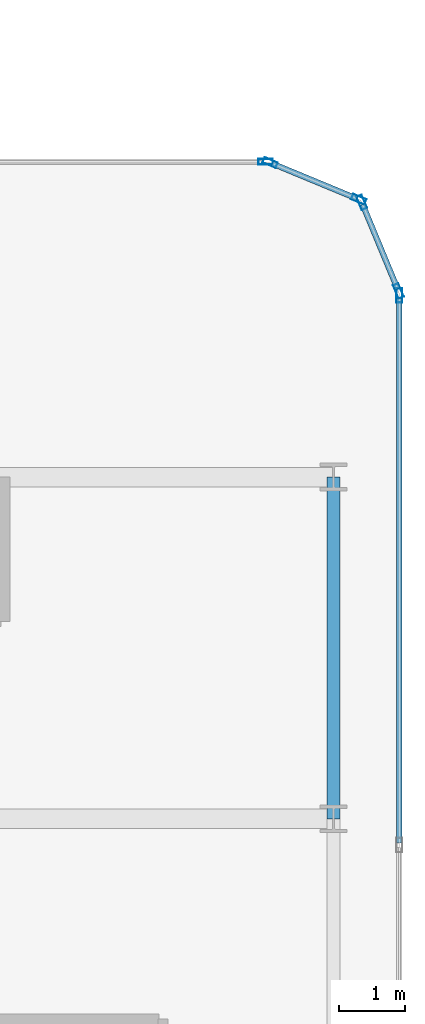
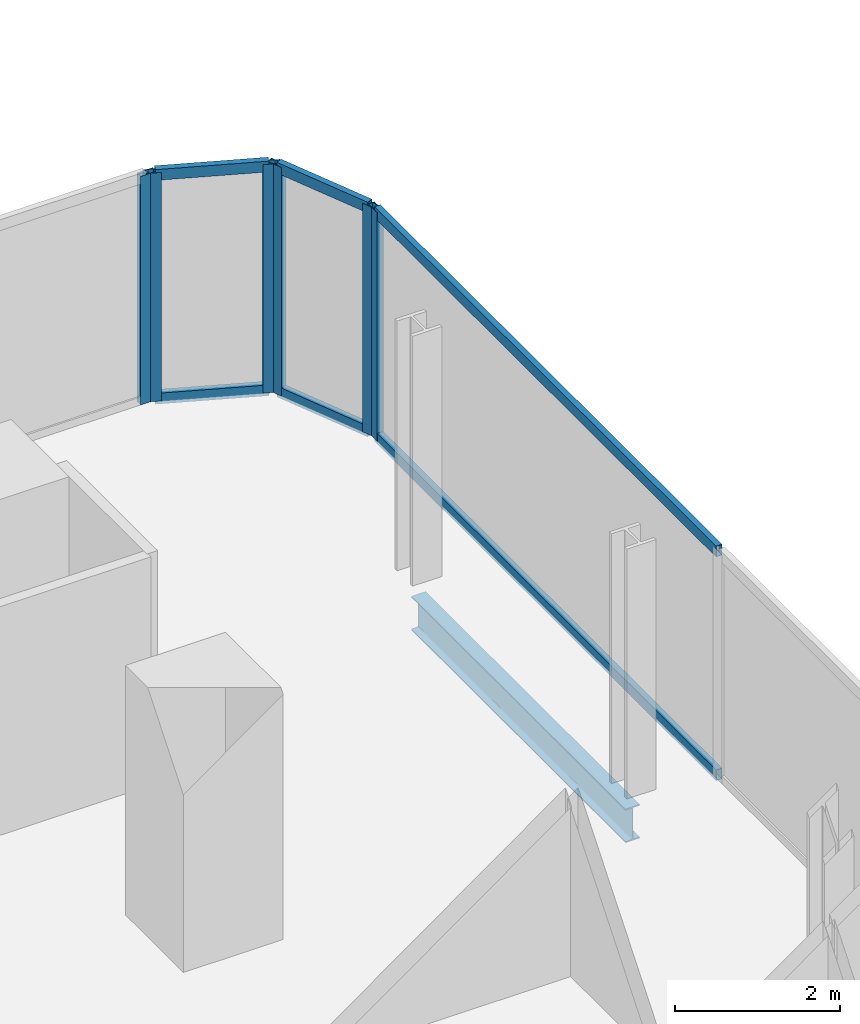
# One storey, part 19 of 33: 12 members, 1 beam, 4 elements without a shape of their own.
"""IFC4 building model written with IfcOpenShell, lengths in metres."""

from ifc_helpers import new_model, si_unit, direction, frame, origin, origin_2d, place, context, subcontext, project, spatial, hollow_rectangle, i_section, extrude, material, layer, layer_set, material_profile, profile_set, type_object, element, aggregate, save


model = new_model("IFC4")

# Units and contexts
model_context = context("Model", 3, precision=1e-05, world=origin(), true_north=direction((0.0, 1.0)))
body_context = subcontext(model_context, "Body", "Model", "MODEL_VIEW")
ifc_project = project(units=[si_unit("LENGTHUNIT", "METRE"), si_unit("AREAUNIT", "SQUARE_METRE"), si_unit("VOLUMEUNIT", "CUBIC_METRE"), si_unit("PLANEANGLEUNIT", "RADIAN"), si_unit("MASSUNIT", "GRAM", prefix="KILO")], contexts=[model_context])

# Site, building, storey
site_placement = place(None, origin())
site = spatial("IfcSite", under=ifc_project, at=site_placement, CompositionType="ELEMENT")
building_placement = place(site_placement, origin())
building = spatial("IfcBuilding", under=site, at=building_placement, Name="Keshet Zoharim Tower", CompositionType="ELEMENT")
storey_placement = place(building_placement, frame((0.0, 0.0, 27.699951171875)))
storey = spatial("IfcBuildingStorey", under=building, at=storey_placement, Name="L05", CompositionType="ELEMENT", Elevation=27.699951171875)

# Beam
ifc_material_1 = material(Name="Steel S355", Category="steel")
ifc_material_profile_1 = material_profile(ifc_material_1, i_section(OverallWidth=0.199951171875, OverallDepth=0.5, WebThickness=0.01025390625, FlangeThickness=0.01611328125, FilletRadius=0.02099609375, at=origin_2d()), Name="IPE500")
ifc_profile_set_1 = profile_set([ifc_material_profile_1], Name="Steel S355")
beam_type = type_object("IfcBeamType", Name="BM-PRI-IP500", PredefinedType="BEAM", material=ifc_profile_set_1)
beam_placement = place(storey_placement, frame((69.0, 22.699951171875, -0.56494140625), z_axis=(0.0, 1.0, 0.0), x_axis=(-1.0, 0.0, 0.0)))
element("IfcBeam", 1, at=beam_placement, inside=storey, type_object=beam_type, Name="L05 Primary Girder Y-025", PredefinedType="BEAM", context=body_context, shape_type="SweptSolid", body=[
    extrude(i_section(OverallWidth=0.199951171875, OverallDepth=0.5, WebThickness=0.01025390625, FlangeThickness=0.01611328125, FilletRadius=0.02099609375, at=origin_2d()), origin(), (0.0, 0.0, 1.0), 5.199951171875),
])

# Curtain wall, member
ifc_material_2 = material(Name="Aluminium 6063-T6", Category="aluminium")
ifc_layer = layer(ifc_material_2, 0.169921875)
ifc_layer_set = layer_set([ifc_layer], Name="Aluminium 6063-T6")
curtain_wall_type = type_object("IfcCurtainWallType", Name="CW-SYS-02", PredefinedType="NOTDEFINED", material=ifc_layer_set)
curtain_wall_1_placement = place(storey_placement, origin())
curtain_wall_1 = element("IfcCurtainWall", 2, at=curtain_wall_1_placement, inside=storey, type_object=curtain_wall_type, Name="L05 Unitised Curtain Wall 13", PredefinedType="NOTDEFINED")
ifc_material_profile_2 = material_profile(ifc_material_2, hollow_rectangle(XDim=0.090087890625, YDim=0.219970703125, WallThickness=0.0048828125, at=origin_2d()), Name="MUL-90x220")
ifc_profile_set_2 = profile_set([ifc_material_profile_2], Name="Aluminium 6063-T6")
member_type_1 = type_object("IfcMemberType", Name="CWM-M22", PredefinedType="MULLION", material=ifc_profile_set_2)
member_1_placement = place(storey_placement, frame((67.965087890625, 32.699951171875, 0.0), z_axis=(0.0, 0.0, 1.0), x_axis=(0.0, 1.0, 0.0)))
member_1 = element("IfcMember", 3, at=member_1_placement, type_object=member_type_1, Name="CW-02 mullion 2", PredefinedType="MULLION", context=body_context, shape_type="SweptSolid", body=[
    extrude(hollow_rectangle(XDim=0.090087890625, YDim=0.219970703125, WallThickness=0.0048828125, at=origin_2d()), origin(), (0.0, 0.0, 1.0), 3.385009765625),
])
aggregate(curtain_wall_1, [member_1])

# Curtain wall, members
curtain_wall_2_placement = place(storey_placement, origin())
curtain_wall_2 = element("IfcCurtainWall", 4, at=curtain_wall_2_placement, inside=storey, type_object=curtain_wall_type, Name="L05 Unitised Curtain Wall 14", PredefinedType="NOTDEFINED")
member_2_placement = place(storey_placement, frame((68.0322265625, 32.6865234375, 0.0), z_axis=(0.0, 0.0, 1.0), x_axis=(0.382851849847, 0.92380975372, 0.0)))
member_2 = element("IfcMember", 5, at=member_2_placement, type_object=member_type_1, Name="CW-02 mullion 1", PredefinedType="MULLION", context=body_context, shape_type="SweptSolid", body=[
    extrude(hollow_rectangle(XDim=0.090087890625, YDim=0.219970703125, WallThickness=0.0048828125, at=origin_2d()), origin(), (0.0, 0.0, 1.0), 3.385009765625),
])
member_3_placement = place(storey_placement, frame((69.381591796875, 32.12744140625, 0.0), z_axis=(0.0, 0.0, 1.0), x_axis=(0.382851849847, 0.92380975372, 0.0)))
member_3 = element("IfcMember", 6, at=member_3_placement, type_object=member_type_1, Name="CW-02 mullion 2", PredefinedType="MULLION", context=body_context, shape_type="SweptSolid", body=[
    extrude(hollow_rectangle(XDim=0.090087890625, YDim=0.219970703125, WallThickness=0.0048828125, at=origin_2d()), origin(), (0.0, 0.0, 1.0), 3.385009765625),
])

curtain_wall_3_placement = place(storey_placement, origin())
curtain_wall_3 = element("IfcCurtainWall", 7, at=curtain_wall_3_placement, inside=storey, type_object=curtain_wall_type, Name="L05 Unitised Curtain Wall 15", PredefinedType="NOTDEFINED")
member_4_placement = place(storey_placement, frame((69.427490234375, 32.081787109375, 0.0), z_axis=(0.0, 0.0, 1.0), x_axis=(0.92380975372, 0.382851849847, 0.0)))
member_4 = element("IfcMember", 8, at=member_4_placement, type_object=member_type_1, Name="CW-02 mullion 1", PredefinedType="MULLION", context=body_context, shape_type="SweptSolid", body=[
    extrude(hollow_rectangle(XDim=0.090087890625, YDim=0.219970703125, WallThickness=0.0048828125, at=origin_2d()), origin(), (0.0, 0.0, 1.0), 3.385009765625),
])
member_5_placement = place(storey_placement, frame((69.986572265625, 30.732421875, 0.0), z_axis=(0.0, 0.0, 1.0), x_axis=(0.92380975372, 0.382851849847, 0.0)))
member_5 = element("IfcMember", 9, at=member_5_placement, type_object=member_type_1, Name="CW-02 mullion 2", PredefinedType="MULLION", context=body_context, shape_type="SweptSolid", body=[
    extrude(hollow_rectangle(XDim=0.090087890625, YDim=0.219970703125, WallThickness=0.0048828125, at=origin_2d()), origin(), (0.0, 0.0, 1.0), 3.385009765625),
])

# Curtain wall, member
curtain_wall_4_placement = place(storey_placement, origin())
curtain_wall_4 = element("IfcCurtainWall", 10, at=curtain_wall_4_placement, inside=storey, type_object=curtain_wall_type, Name="L05 Unitised Curtain Wall 16", PredefinedType="NOTDEFINED")
member_6_placement = place(storey_placement, frame((70.0, 30.6650390625, 0.0), z_axis=(0.0, 0.0, 1.0), x_axis=(1.0, 0.0, 0.0)))
member_6 = element("IfcMember", 11, at=member_6_placement, type_object=member_type_1, Name="CW-02 mullion 1", PredefinedType="MULLION", context=body_context, shape_type="SweptSolid", body=[
    extrude(hollow_rectangle(XDim=0.090087890625, YDim=0.219970703125, WallThickness=0.0048828125, at=origin_2d()), origin(), (0.0, 0.0, 1.0), 3.385009765625),
])

# Member
ifc_material_profile_3 = material_profile(ifc_material_2, hollow_rectangle(XDim=0.0849609375, YDim=0.159912109375, WallThickness=0.00439453125, at=origin_2d()), Name="TRN-85x160")
ifc_profile_set_3 = profile_set([ifc_material_profile_3], Name="Aluminium 6063-T6")
member_type_2 = type_object("IfcMemberType", Name="CWT-T16", PredefinedType="USERDEFINED", material=ifc_profile_set_3)
member_7_placement = place(storey_placement, frame((68.064697265625, 32.673095703125, 0.03515625), z_axis=(0.923854189844, -0.382744609247, 0.0), x_axis=(0.382744609247, 0.923854189844, 0.0)))
member_7 = element("IfcMember", 12, at=member_7_placement, type_object=member_type_2, Name="CW-02 transom 1.1", ObjectType="TRANSOM", PredefinedType="USERDEFINED", context=body_context, shape_type="SweptSolid", body=[
    extrude(hollow_rectangle(XDim=0.0849609375, YDim=0.159912109375, WallThickness=0.00439453125, at=origin_2d()), origin(), (0.0, 0.0, 1.0), 1.390625),
])

member_8_placement = place(storey_placement, frame((68.064697265625, 32.673095703125, 3.35009765625), z_axis=(0.923854189844, -0.382744609247, 0.0), x_axis=(0.382744609247, 0.923854189844, 0.0)))
member_8 = element("IfcMember", 13, at=member_8_placement, type_object=member_type_2, Name="CW-02 transom 1.2", ObjectType="TRANSOM", PredefinedType="USERDEFINED", context=body_context, shape_type="SweptSolid", body=[
    extrude(hollow_rectangle(XDim=0.0849609375, YDim=0.159912109375, WallThickness=0.00439453125, at=origin_2d()), origin(), (0.0, 0.0, 1.0), 1.390625),
])

aggregate(curtain_wall_2, [member_2, member_3, member_7, member_8])

member_9_placement = place(storey_placement, frame((69.44091796875, 32.04931640625, 0.03515625), z_axis=(0.382744609247, -0.923854189844, 0.0), x_axis=(0.923854189844, 0.382744609247, 0.0)))
member_9 = element("IfcMember", 14, at=member_9_placement, type_object=member_type_2, Name="CW-02 transom 1.1", ObjectType="TRANSOM", PredefinedType="USERDEFINED", context=body_context, shape_type="SweptSolid", body=[
    extrude(hollow_rectangle(XDim=0.0849609375, YDim=0.159912109375, WallThickness=0.00439453125, at=origin_2d()), origin(), (0.0, 0.0, 1.0), 1.390625),
])

member_10_placement = place(storey_placement, frame((69.44091796875, 32.04931640625, 3.35009765625), z_axis=(0.382744609247, -0.923854189844, 0.0), x_axis=(0.923854189844, 0.382744609247, 0.0)))
member_10 = element("IfcMember", 15, at=member_10_placement, type_object=member_type_2, Name="CW-02 transom 1.2", ObjectType="TRANSOM", PredefinedType="USERDEFINED", context=body_context, shape_type="SweptSolid", body=[
    extrude(hollow_rectangle(XDim=0.0849609375, YDim=0.159912109375, WallThickness=0.00439453125, at=origin_2d()), origin(), (0.0, 0.0, 1.0), 1.390625),
])

aggregate(curtain_wall_3, [member_4, member_5, member_9, member_10])

member_11_placement = place(storey_placement, frame((70.0, 30.6298828125, 0.03515625), z_axis=(0.0, -1.0, 0.0), x_axis=(1.0, 0.0, 0.0)))
member_11 = element("IfcMember", 16, at=member_11_placement, type_object=member_type_2, Name="CW-02 transom 1.1", ObjectType="TRANSOM", PredefinedType="USERDEFINED", context=body_context, shape_type="SweptSolid", body=[
    extrude(hollow_rectangle(XDim=0.0849609375, YDim=0.159912109375, WallThickness=0.00439453125, at=origin_2d()), origin(), (0.0, 0.0, 1.0), 8.29638671875),
])

member_12_placement = place(storey_placement, frame((70.0, 30.6298828125, 3.35009765625), z_axis=(0.0, -1.0, 0.0), x_axis=(1.0, 0.0, 0.0)))
member_12 = element("IfcMember", 17, at=member_12_placement, type_object=member_type_2, Name="CW-02 transom 1.2", ObjectType="TRANSOM", PredefinedType="USERDEFINED", context=body_context, shape_type="SweptSolid", body=[
    extrude(hollow_rectangle(XDim=0.0849609375, YDim=0.159912109375, WallThickness=0.00439453125, at=origin_2d()), origin(), (0.0, 0.0, 1.0), 8.29638671875),
])

aggregate(curtain_wall_4, [member_6, member_11, member_12])

save(model, "model.ifc")
